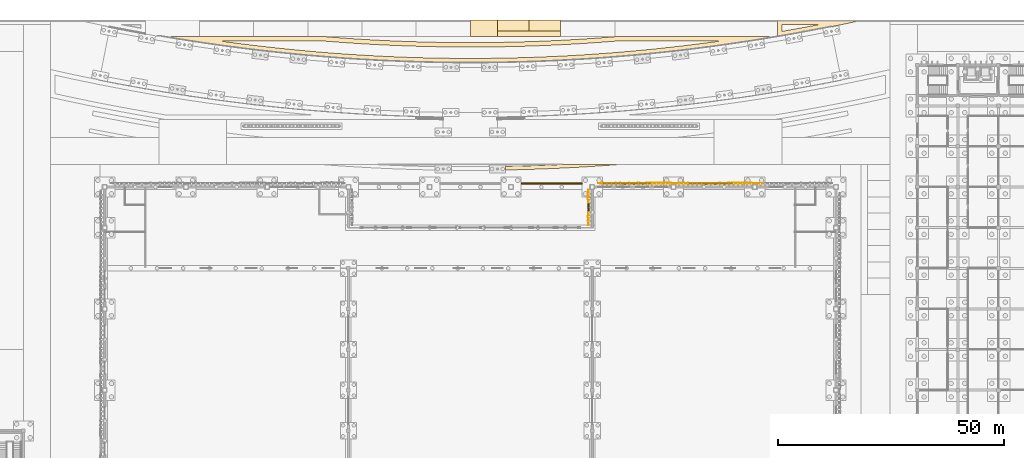
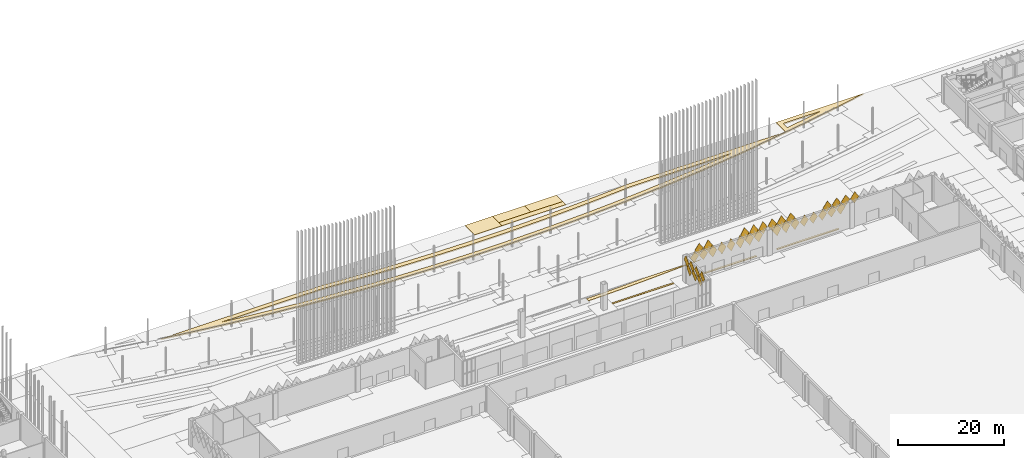
# One storey, part 174 of 198: 44 coverings.
"""IFC4 building model written with IfcOpenShell, lengths in metres."""

import ifcopenshell
import ifcopenshell.guid

model = None  # the IFC model being written
_history = None  # IfcOwnerHistory: only IFC2X3 demands one
_inside = {}  # id of a spatial element -> (the spatial element, [elements in it])
_under = {}  # id of a project, library or spatial element -> (it, [spatial elements below it])
_declared = {}  # id of a project -> (the project, [libraries it declares])
_typed = {}  # id of a type object -> (the type object, [elements of that type])
_made_of = {}  # id of a material, layer set ... -> (it, [elements and type objects made of it])


def new_model(schema):
    """Start an empty IFC model of exactly this schema.

    Asked for "IFC4X3", IfcOpenShell would pick the latest addendum, in which some entities
    have other attributes; the version numbers below select the first issue.
    IFC2X3 requires an IfcOwnerHistory on every rooted entity: one is made here for all.
    """
    global model, _history
    if schema == "IFC4X3":
        model = ifcopenshell.file(schema_version=(4, 3, 0, 0))
    else:
        model = ifcopenshell.file(schema=schema)
    _inside.clear()
    _under.clear()
    _declared.clear()
    _typed.clear()
    _made_of.clear()
    _history = None
    if model.schema == "IFC2X3":
        org = make("IfcOrganization", Name="unknown")
        user = make(
            "IfcPersonAndOrganization",
            ThePerson=make("IfcPerson", FamilyName="unknown"),
            TheOrganization=org,
        )
        app = make(
            "IfcApplication",
            ApplicationDeveloper=org,
            Version="unknown",
            ApplicationFullName="unknown",
            ApplicationIdentifier="unknown",
        )
        _history = make(
            "IfcOwnerHistory",
            OwningUser=user,
            OwningApplication=app,
            ChangeAction="ADDED",
            CreationDate=0,
        )
    return model


def make(cls, **values):
    """One entity of the class cls with the attributes given. An attribute that is None is left unset."""
    return model.create_entity(
        cls, **{name: value for name, value in values.items() if value is not None}
    )


def rooted(cls, **values):
    """An entity with a GlobalId (a new one), such as an element, a storey or a relation."""
    return make(cls, GlobalId=ifcopenshell.guid.new(), OwnerHistory=_history, **values)


def si_unit(unit_type, name, prefix=None):
    """IfcSIUnit, for example si_unit("LENGTHUNIT", "METRE", prefix="MILLI")."""
    return make("IfcSIUnit", UnitType=unit_type, Prefix=prefix, Name=name)


def assignment(units):
    """IfcUnitAssignment: the units of a project."""
    return None if units is None else make("IfcUnitAssignment", Units=units)


def point(xyz):
    """IfcCartesianPoint."""
    return None if xyz is None else make("IfcCartesianPoint", Coordinates=xyz)


def direction(xyz):
    """IfcDirection."""
    return None if xyz is None else make("IfcDirection", DirectionRatios=xyz)


def frame(location, z_axis=None, x_axis=None):
    """IfcAxis2Placement3D, a coordinate frame: its origin and axes. An axis left out is left unset."""
    return make(
        "IfcAxis2Placement3D",
        Location=point(location),
        Axis=direction(z_axis),
        RefDirection=direction(x_axis),
    )


def origin():
    """The frame at (0, 0, 0) with its axes left unset."""
    return frame((0.0, 0.0, 0.0))


def place(relative_to, where):
    """IfcLocalPlacement: puts the frame where relative to a parent placement (None: the world)."""
    return make(
        "IfcLocalPlacement", PlacementRelTo=relative_to, RelativePlacement=where
    )


def context(
    kind, dimensions, precision=None, world=None, true_north=None, identifier=None
):
    """IfcGeometricRepresentationContext, for example the 3D "Model" context."""
    return make(
        "IfcGeometricRepresentationContext",
        ContextIdentifier=identifier,
        ContextType=kind,
        CoordinateSpaceDimension=dimensions,
        Precision=precision,
        WorldCoordinateSystem=world,
        TrueNorth=true_north,
    )


def subcontext(parent, identifier, kind, view, scale=None):
    """IfcGeometricRepresentationSubContext, for example "Body" below "Model"."""
    return make(
        "IfcGeometricRepresentationSubContext",
        ContextIdentifier=identifier,
        ContextType=kind,
        ParentContext=parent,
        TargetScale=scale,
        TargetView=view,
    )


def project(units=None, contexts=None):
    """IfcProject with its units and contexts."""
    return rooted(
        "IfcProject",
        Name="project",
        RepresentationContexts=contexts,
        UnitsInContext=assignment(units),
    )


def spatial(cls, under=None, at=None, **own):
    """A site, building, storey or space (cls), placed at a placement, below another one or the project."""
    s = rooted(cls, ObjectPlacement=at, **own)
    if under is not None:
        _under.setdefault(under.id(), (under, []))[1].append(s)
    return s


def polyline(points):
    """IfcPolyline through the points."""
    return make("IfcPolyline", Points=[point(p) for p in points])


def outline(outer, holes=None, kind="AREA"):
    """IfcArbitraryClosedProfileDef: a profile drawn as a closed curve; with holes, ...WithVoids."""
    if holes is None:
        return make("IfcArbitraryClosedProfileDef", ProfileType=kind, OuterCurve=outer)
    return make(
        "IfcArbitraryProfileDefWithVoids",
        ProfileType=kind,
        OuterCurve=outer,
        InnerCurves=holes,
    )


def extrude(swept, where, along, depth):
    """IfcExtrudedAreaSolid: the profile swept, set in the frame where, extruded along a direction by depth."""
    return make(
        "IfcExtrudedAreaSolid",
        SweptArea=swept,
        Position=where,
        ExtrudedDirection=direction(along),
        Depth=depth,
    )


def shape(context_of_items, identifier, shape_type, items):
    """IfcShapeRepresentation: the items that make up one representation, for example the "Body"."""
    return make(
        "IfcShapeRepresentation",
        ContextOfItems=context_of_items,
        RepresentationIdentifier=identifier,
        RepresentationType=shape_type,
        Items=items,
    )


def material(Name=None, Category=None):
    """IfcMaterial."""
    return make("IfcMaterial", Name=Name, Category=Category)


def layer(
    of_material, thickness, ventilated=None, Name=None, Category=None, Priority=None
):
    """IfcMaterialLayer: one layer of a wall or slab, of a material (None: an air gap)."""
    return make(
        "IfcMaterialLayer",
        Material=of_material,
        LayerThickness=thickness,
        IsVentilated=ventilated,
        Name=Name,
        Category=Category,
        Priority=Priority,
    )


def layer_set(layers, Name=None):
    """IfcMaterialLayerSet."""
    return make("IfcMaterialLayerSet", MaterialLayers=layers, LayerSetName=Name)


def material_profile(
    of_material, cross_section, Name=None, Category=None, Priority=None
):
    """IfcMaterialProfile: a cross section and its material."""
    return make(
        "IfcMaterialProfile",
        Name=Name,
        Material=of_material,
        Profile=cross_section,
        Priority=Priority,
        Category=Category,
    )


def profile_set(profiles, Name=None, composite=None):
    """IfcMaterialProfileSet."""
    return make(
        "IfcMaterialProfileSet",
        Name=Name,
        MaterialProfiles=profiles,
        CompositeProfile=composite,
    )


def made_of(thing, what):
    """Note that an element or type object is made of a material, layer set ...; save() writes the relation."""
    if what is not None:
        _made_of.setdefault(what.id(), (what, []))[1].append(thing)
    return thing


def type_object(cls, material=None, **own):
    """A type object (cls), such as IfcWallType, which elements share."""
    return made_of(rooted(cls, **own), material)


def element(
    cls,
    number,
    at=None,
    inside=None,
    cuts=None,
    type_object=None,
    material=None,
    context=None,
    identifier="Body",
    shape_type=None,
    held_by="IfcProductDefinitionShape",
    body=None,
    shapes=None,
    **own,
):
    """One element of the class cls, such as IfcWall. Its Tag is "e" and its number.

    at: its placement. inside: the storey or other place that contains it. cuts: it is an
    opening in that element (IfcRelVoidsElement). A single representation is given by context,
    identifier, shape_type and body (its items); several are given by shapes. held_by: the class
    of the entity that holds the representations. save() writes the other relations.
    """
    e = rooted(cls, Tag="e%d" % number, ObjectPlacement=at, **own)
    if body is not None:
        shapes = [shape(context, identifier, shape_type, body)]
    if shapes is not None:
        e.Representation = make(held_by, Representations=shapes)
    if inside is not None:
        _inside.setdefault(inside.id(), (inside, []))[1].append(e)
    if cuts is not None:
        rooted(
            "IfcRelVoidsElement", RelatingBuildingElement=cuts, RelatedOpeningElement=e
        )
    if type_object is not None:
        _typed.setdefault(type_object.id(), (type_object, []))[1].append(e)
    return made_of(e, material)


def aggregate(whole, parts):
    """IfcRelAggregates: a whole, such as a stair, and the parts it consists of."""
    return rooted("IfcRelAggregates", RelatingObject=whole, RelatedObjects=parts)


def save(model, path):
    """Write the relations noted so far, then the file.

    IfcRelAggregates (storeys below a building ...), IfcRelContainedInSpatialStructure (elements
    in a storey), IfcRelDefinesByType, IfcRelAssociatesMaterial and IfcRelDeclares: one each for
    every whole, place, type object, material and project.
    """
    for whole, parts in _under.values():
        aggregate(whole, parts)
    for where, things in _inside.values():
        rooted(
            "IfcRelContainedInSpatialStructure",
            RelatedElements=things,
            RelatingStructure=where,
        )
    for kind, things in _typed.values():
        rooted("IfcRelDefinesByType", RelatedObjects=things, RelatingType=kind)
    for what, things in _made_of.values():
        rooted("IfcRelAssociatesMaterial", RelatedObjects=things, RelatingMaterial=what)
    for by, libraries in _declared.values():
        rooted("IfcRelDeclares", RelatingContext=by, RelatedDefinitions=libraries)
    model.write(path)


model = new_model("IFC4")

# Units and contexts
model_context = context("Model", 3, precision=1e-05, world=origin(), true_north=direction((0.0, 1.0)))
body_context = subcontext(model_context, "Body", "Model", "MODEL_VIEW")
ifc_project = project(units=[si_unit("LENGTHUNIT", "METRE"), si_unit("AREAUNIT", "SQUARE_METRE"), si_unit("VOLUMEUNIT", "CUBIC_METRE"), si_unit("PLANEANGLEUNIT", "RADIAN"), si_unit("MASSUNIT", "GRAM", prefix="KILO")], contexts=[model_context])

# Site, building, storey
site_placement = place(None, origin())
site = spatial("IfcSite", under=ifc_project, at=site_placement, CompositionType="ELEMENT")
building_placement = place(site_placement, origin())
building = spatial("IfcBuilding", under=site, at=building_placement, Name="Opaline Strait Convention Centre", CompositionType="ELEMENT")
storey_placement = place(building_placement, origin())
storey = spatial("IfcBuildingStorey", under=building, at=storey_placement, Name="L00", CompositionType="ELEMENT", Elevation=0.0)

# Coverings
ifc_material_1 = material(Name="Asphalt road surfacing")
ifc_layer_1 = layer(ifc_material_1, 0.14990234375)
ifc_layer_set_1 = layer_set([ifc_layer_1], Name="Asphalt road surfacing")
covering_type_1 = type_object("IfcCoveringType", Name="Asphalt road surfacing 150", PredefinedType="FLOORING", material=ifc_layer_set_1)
covering_1_placement = place(storey_placement, frame((0.0, 0.0, -0.14990234375)))
element("IfcCovering", 1, at=covering_1_placement, inside=storey, type_object=covering_type_1, Name="Drop-off Lane West surfacing", PredefinedType="FLOORING", context=body_context, shape_type="SweptSolid", body=[
    extrude(outline(polyline([(180.0, 190.0), (180.0, 186.39990234375), (186.0, 186.39990234375), (186.0, 190.0), (180.0, 190.0)])), origin(), (0.0, 0.0, 1.0), 0.14990234375),
])
covering_2_placement = place(storey_placement, frame((0.0, 0.0, -0.14990234375)))
element("IfcCovering", 2, at=covering_2_placement, inside=storey, type_object=covering_type_1, Name="Accessible Drop-off Zone 1 surfacing", PredefinedType="FLOORING", context=body_context, shape_type="SweptSolid", body=[
    extrude(outline(polyline([(186.0, 190.0), (186.0, 187.60009765625), (193.0, 187.60009765625), (193.0, 190.0), (186.0, 190.0)])), origin(), (0.0, 0.0, 1.0), 0.14990234375),
])
covering_3_placement = place(storey_placement, frame((0.0, 0.0, -0.14990234375)))
element("IfcCovering", 3, at=covering_3_placement, inside=storey, type_object=covering_type_1, Name="Accessible Drop-off Zone 2 surfacing", PredefinedType="FLOORING", context=body_context, shape_type="SweptSolid", body=[
    extrude(outline(polyline([(193.0, 190.0), (193.0, 187.60009765625), (200.0, 187.60009765625), (200.0, 190.0), (193.0, 190.0)])), origin(), (0.0, 0.0, 1.0), 0.14990234375),
])
covering_4_placement = place(storey_placement, frame((0.0, 0.0, -0.14990234375)))
element("IfcCovering", 4, at=covering_4_placement, inside=storey, type_object=covering_type_1, Name="Accessible Drop-off Access Aisle surfacing", PredefinedType="FLOORING", context=body_context, shape_type="SweptSolid", body=[
    extrude(outline(polyline([(186.0, 187.60009765625), (186.0, 186.39990234375), (200.0, 186.39990234375), (200.0, 187.60009765625), (186.0, 187.60009765625)])), origin(), (0.0, 0.0, 1.0), 0.14990234375),
])
ifc_material_2 = material(Name="White ceramic-faced aluminium tile", Category="aluminium")
ifc_material_profile_1 = material_profile(ifc_material_2, outline(polyline([(0.927978515625, 0.0), (0.0, 1.39208984375), (-0.927978515625, 0.0), (0.0, -1.39208984375), (0.927978515625, 0.0)])), Name="Diamond tile 1856x2784")
ifc_profile_set_1 = profile_set([ifc_material_profile_1], Name="White ceramic-faced aluminium tile")
covering_type_2 = type_object("IfcCoveringType", Name="Diamond wall tile 1856x2784x30 pivot 2 deg", PredefinedType="CLADDING", material=ifc_profile_set_1)
for number, where, z_axis, x_axis, name in (
    (5, (231.25, 153.800048828125, 4.39208984375), (0.0, 0.999471633277, 0.032503142546), (-1.0, 0.0, 0.0), "Wall tile XT04 N"),
    (6, (229.25, 153.800048828125, 4.39208984375), (0.0, 0.999174794796, -0.040616861577), (-1.0, 0.0, 0.0), "Wall tile XT04 N"),
    (7, (230.25, 153.800048828125, 5.89208984375), (0.0, 0.999471633277, 0.032503142546), (-1.0, 0.0, 0.0), "Wall tile XT04 N"),
):
    element("IfcCovering", number, at=place(storey_placement, frame(where, z_axis=z_axis, x_axis=x_axis)), inside=storey, type_object=covering_type_2, Name=name, PredefinedType="CLADDING", context=body_context, shape_type="SweptSolid", body=[
        extrude(outline(polyline([(0.927978515625, 0.0), (0.0, 1.39208984375), (-0.927978515625, 0.0), (0.0, -1.39208984375), (0.927978515625, 0.0)])), origin(), (0.0, 0.0, 1.0), 0.030029296875),
    ])
ifc_material_profile_2 = material_profile(ifc_material_2, outline(polyline([(0.927978515625, 0.0), (0.0, 1.39208984375), (-0.927978515625, 0.0), (0.0, -1.39208984375), (0.927978515625, 0.0)])), Name="Diamond tile 1856x2784")
ifc_profile_set_2 = profile_set([ifc_material_profile_2], Name="White ceramic-faced aluminium tile")
covering_type_3 = type_object("IfcCoveringType", Name="Diamond wall tile 1856x2784x30 pivot 2.5 deg", PredefinedType="CLADDING", material=ifc_profile_set_2)
for number, where, z_axis, x_axis, name in (
    (8, (233.25, 153.800048828125, 4.39208984375), (0.0, 0.999174794796, 0.040616861577), (-1.0, 0.0, 0.0), "Wall tile XT05 N"),
    (9, (213.25, 153.800048828125, 4.39208984375), (0.0, 0.998812351125, -0.048722553713), (-1.0, 0.0, 0.0), "Wall tile XT05 N"),
    (10, (211.25, 153.800048828125, 4.39208984375), (0.0, 0.999174794796, 0.040616861577), (-1.0, 0.0, 0.0), "Wall tile XT05 N"),
    (11, (244.25, 153.800048828125, 5.89208984375), (0.0, 0.999174794796, 0.040616861577), (-1.0, 0.0, 0.0), "Wall tile XT05 N"),
    (12, (228.25, 153.800048828125, 5.89208984375), (0.0, 0.998812351125, -0.048722553713), (-1.0, 0.0, 0.0), "Wall tile XT05 N"),
    (13, (212.25, 153.800048828125, 5.89208984375), (0.0, 0.998812351125, -0.048722553713), (-1.0, 0.0, 0.0), "Wall tile XT05 N"),
    (14, (210.25, 153.800048828125, 5.89208984375), (0.0, 0.999174794796, 0.040616861577), (-1.0, 0.0, 0.0), "Wall tile XT05 N"),
):
    element("IfcCovering", number, at=place(storey_placement, frame(where, z_axis=z_axis, x_axis=x_axis)), inside=storey, type_object=covering_type_3, Name=name, PredefinedType="CLADDING", context=body_context, shape_type="SweptSolid", body=[
        extrude(outline(polyline([(0.927978515625, 0.0), (0.0, 1.39208984375), (-0.927978515625, 0.0), (0.0, -1.39208984375), (0.927978515625, 0.0)])), origin(), (0.0, 0.0, 1.0), 0.030029296875),
    ])
ifc_material_profile_3 = material_profile(ifc_material_2, outline(polyline([(0.927978515625, 0.0), (0.0, 1.39208984375), (-0.927978515625, 0.0), (0.0, -1.39208984375), (0.927978515625, 0.0)])), Name="Diamond tile 1856x2784")
ifc_profile_set_3 = profile_set([ifc_material_profile_3], Name="White ceramic-faced aluminium tile")
covering_type_4 = type_object("IfcCoveringType", Name="Diamond wall tile 1856x2784x30 pivot 3 deg", PredefinedType="CLADDING", material=ifc_profile_set_3)
covering_5_placement = place(storey_placement, frame((215.25, 153.800048828125, 4.39208984375), z_axis=(0.0, 0.998384516691, -0.056818631031), x_axis=(-1.0, 0.0, 0.0)))
element("IfcCovering", 15, at=covering_5_placement, inside=storey, type_object=covering_type_4, Name="Wall tile XT06 N", PredefinedType="CLADDING", context=body_context, shape_type="SweptSolid", body=[
    extrude(outline(polyline([(0.927978515625, 0.0), (0.0, 1.39208984375), (-0.927978515625, 0.0), (0.0, -1.39208984375), (0.927978515625, 0.0)])), origin(), (0.0, 0.0, 1.0), 0.030029296875),
])
ifc_material_profile_4 = material_profile(ifc_material_2, outline(polyline([(0.927978515625, 0.0), (0.0, 1.39208984375), (-0.927978515625, 0.0), (0.0, -1.39208984375), (0.927978515625, 0.0)])), Name="Diamond tile 1856x2784")
ifc_profile_set_4 = profile_set([ifc_material_profile_4], Name="White ceramic-faced aluminium tile")
covering_type_5 = type_object("IfcCoveringType", Name="Diamond wall tile 1856x2784x30 pivot 3.5 deg", PredefinedType="CLADDING", material=ifc_profile_set_4)
for number, where, z_axis, x_axis, name in (
    (16, (227.25, 153.800048828125, 4.39208984375), (0.0, 0.99785694905, -0.065433242561), (-1.0, 0.0, 0.0), "Wall tile XT07 N"),
    (17, (226.25, 153.800048828125, 5.89208984375), (0.0, 0.99785694905, -0.065433242561), (-1.0, 0.0, 0.0), "Wall tile XT07 N"),
):
    element("IfcCovering", number, at=place(storey_placement, frame(where, z_axis=z_axis, x_axis=x_axis)), inside=storey, type_object=covering_type_5, Name=name, PredefinedType="CLADDING", context=body_context, shape_type="SweptSolid", body=[
        extrude(outline(polyline([(0.927978515625, 0.0), (0.0, 1.39208984375), (-0.927978515625, 0.0), (0.0, -1.39208984375), (0.927978515625, 0.0)])), origin(), (0.0, 0.0, 1.0), 0.02978515625),
    ])
ifc_material_profile_5 = material_profile(ifc_material_2, outline(polyline([(0.927978515625, 0.0), (0.0, 1.39208984375), (-0.927978515625, 0.0), (0.0, -1.39208984375), (0.927978515625, 0.0)])), Name="Diamond tile 1856x2784")
ifc_profile_set_5 = profile_set([ifc_material_profile_5], Name="White ceramic-faced aluminium tile")
covering_type_6 = type_object("IfcCoveringType", Name="Diamond wall tile 1856x2784x30 pivot 4 deg", PredefinedType="CLADDING", material=ifc_profile_set_5)
for number, where, z_axis, x_axis, name in (
    (18, (235.25, 153.800048828125, 4.39208984375), (0.0, 0.99785694905, 0.065433242561), (-1.0, 0.0, 0.0), "Wall tile XT08 N"),
    (19, (242.25, 153.800048828125, 5.89208984375), (0.0, 0.99785694905, 0.065433242561), (-1.0, 0.0, 0.0), "Wall tile XT08 N"),
):
    element("IfcCovering", number, at=place(storey_placement, frame(where, z_axis=z_axis, x_axis=x_axis)), inside=storey, type_object=covering_type_6, Name=name, PredefinedType="CLADDING", context=body_context, shape_type="SweptSolid", body=[
        extrude(outline(polyline([(0.927978515625, 0.0), (0.0, 1.39208984375), (-0.927978515625, 0.0), (0.0, -1.39208984375), (0.927978515625, 0.0)])), origin(), (0.0, 0.0, 1.0), 0.02978515625),
    ])
ifc_material_profile_6 = material_profile(ifc_material_2, outline(polyline([(0.927978515625, 0.0), (0.0, 1.39208984375), (-0.927978515625, 0.0), (0.0, -1.39208984375), (0.927978515625, 0.0)])), Name="Diamond tile 1856x2784")
ifc_profile_set_6 = profile_set([ifc_material_profile_6], Name="White ceramic-faced aluminium tile")
covering_type_7 = type_object("IfcCoveringType", Name="Diamond wall tile 1856x2784x30 pivot 4.5 deg", PredefinedType="CLADDING", material=ifc_profile_set_6)
covering_6_placement = place(storey_placement, frame((209.25, 153.800048828125, 4.39208984375), z_axis=(0.0, 0.997290013252, 0.073570574748), x_axis=(-1.0, 0.0, 0.0)))
element("IfcCovering", 20, at=covering_6_placement, inside=storey, type_object=covering_type_7, Name="Wall tile XT09 N", PredefinedType="CLADDING", context=body_context, shape_type="SweptSolid", body=[
    extrude(outline(polyline([(0.927978515625, 0.0), (0.0, 1.39208984375), (-0.927978515625, 0.0), (0.0, -1.39208984375), (0.927978515625, 0.0)])), origin(), (0.0, 0.0, 1.0), 0.02978515625),
])
ifc_material_profile_7 = material_profile(ifc_material_2, outline(polyline([(0.927978515625, 0.0), (0.0, 1.39208984375), (-0.927978515625, 0.0), (0.0, -1.39208984375), (0.927978515625, 0.0)])), Name="Diamond tile 1856x2784")
ifc_profile_set_7 = profile_set([ifc_material_profile_7], Name="White ceramic-faced aluminium tile")
covering_type_8 = type_object("IfcCoveringType", Name="Diamond wall tile 1856x2784x30 pivot 5 deg", PredefinedType="CLADDING", material=ifc_profile_set_7)
for number, where, z_axis, x_axis, name in (
    (21, (241.25, 153.800048828125, 4.39208984375), (0.0, 0.996657521232, 0.081693239445), (-1.0, 0.0, 0.0), "Wall tile XT10 N"),
    (22, (237.25, 153.800048828125, 4.39208984375), (0.0, 0.996657521232, 0.081693239445), (-1.0, 0.0, 0.0), "Wall tile XT10 N"),
    (23, (217.25, 153.800048828125, 4.39208984375), (0.0, 0.995959849254, -0.089799658539), (-1.0, 0.0, 0.0), "Wall tile XT10 N"),
    (24, (240.25, 153.800048828125, 5.89208984375), (0.0, 0.996657521232, 0.081693239445), (-1.0, 0.0, 0.0), "Wall tile XT10 N"),
    (25, (224.25, 153.800048828125, 5.89208984375), (0.0, 0.995959849254, -0.089799658539), (-1.0, 0.0, 0.0), "Wall tile XT10 N"),
    (26, (206.199951171875, 151.5, 5.89208984375), (-0.995959849254, 0.0, -0.089799658539), (0.0, -1.0, 0.0), "Wall tile XT10 RE"),
    (27, (206.199951171875, 145.5, 5.89208984375), (-0.995959849254, 0.0, -0.089799658539), (0.0, -1.0, 0.0), "Wall tile XT10 RE"),
):
    element("IfcCovering", number, at=place(storey_placement, frame(where, z_axis=z_axis, x_axis=x_axis)), inside=storey, type_object=covering_type_8, Name=name, PredefinedType="CLADDING", context=body_context, shape_type="SweptSolid", body=[
        extrude(outline(polyline([(0.927978515625, 0.0), (0.0, 1.39208984375), (-0.927978515625, 0.0), (0.0, -1.39208984375), (0.927978515625, 0.0)])), origin(), (0.0, 0.0, 1.0), 0.02978515625),
    ])
ifc_material_profile_8 = material_profile(ifc_material_2, outline(polyline([(0.927978515625, 0.0), (0.0, 1.39208984375), (-0.927978515625, 0.0), (0.0, -1.39208984375), (0.927978515625, 0.0)])), Name="Diamond tile 1856x2784")
ifc_profile_set_8 = profile_set([ifc_material_profile_8], Name="White ceramic-faced aluminium tile")
covering_type_9 = type_object("IfcCoveringType", Name="Diamond wall tile 1856x2784x30 pivot 5.5 deg", PredefinedType="CLADDING", material=ifc_profile_set_8)
for number, where, z_axis, x_axis, name in (
    (28, (239.25, 153.800048828125, 4.39208984375), (0.0, 0.995959849254, 0.089799658539), (-1.0, 0.0, 0.0), "Wall tile XT11 N"),
    (29, (238.25, 153.800048828125, 5.89208984375), (0.0, 0.995959849254, 0.089799658539), (-1.0, 0.0, 0.0), "Wall tile XT11 N"),
):
    element("IfcCovering", number, at=place(storey_placement, frame(where, z_axis=z_axis, x_axis=x_axis)), inside=storey, type_object=covering_type_9, Name=name, PredefinedType="CLADDING", context=body_context, shape_type="SweptSolid", body=[
        extrude(outline(polyline([(0.927978515625, 0.0), (0.0, 1.39208984375), (-0.927978515625, 0.0), (0.0, -1.39208984375), (0.927978515625, 0.0)])), origin(), (0.0, 0.0, 1.0), 0.02978515625),
    ])
ifc_material_profile_9 = material_profile(ifc_material_2, outline(polyline([(0.927978515625, 0.0), (0.0, 1.39208984375), (-0.927978515625, 0.0), (0.0, -1.39208984375), (0.927978515625, 0.0)])), Name="Diamond tile 1856x2784")
ifc_profile_set_9 = profile_set([ifc_material_profile_9], Name="White ceramic-faced aluminium tile")
covering_type_10 = type_object("IfcCoveringType", Name="Diamond wall tile 1856x2784x30 pivot 6 deg", PredefinedType="CLADDING", material=ifc_profile_set_9)
covering_7_placement = place(storey_placement, frame((206.199951171875, 146.5, 4.39208984375), z_axis=(-0.994370656274, 0.0, -0.105957528947), x_axis=(0.0, -1.0, 0.0)))
element("IfcCovering", 30, at=covering_7_placement, inside=storey, type_object=covering_type_10, Name="Wall tile XT12 RE", PredefinedType="CLADDING", context=body_context, shape_type="SweptSolid", body=[
    extrude(outline(polyline([(0.927978515625, 0.0), (0.0, 1.39208984375), (-0.927978515625, 0.0), (0.0, -1.39208984375), (0.927978515625, 0.0)])), origin(), (0.0, 0.0, 1.0), 0.030029296875),
])
ifc_material_profile_10 = material_profile(ifc_material_2, outline(polyline([(0.927978515625, 0.0), (0.0, 1.39208984375), (-0.927978515625, 0.0), (0.0, -1.39208984375), (0.927978515625, 0.0)])), Name="Diamond tile 1856x2784")
ifc_profile_set_10 = profile_set([ifc_material_profile_10], Name="White ceramic-faced aluminium tile")
covering_type_11 = type_object("IfcCoveringType", Name="Diamond wall tile 1856x2784x30 pivot 6.5 deg", PredefinedType="CLADDING", material=ifc_profile_set_10)
for number, where, z_axis, x_axis, name in (
    (31, (223.25, 153.800048828125, 4.39208984375), (0.0, 0.993480071526, -0.114005909847), (-1.0, 0.0, 0.0), "Wall tile XT13 N"),
    (32, (219.25, 153.800048828125, 4.39208984375), (0.0, 0.993480071526, -0.114005909847), (-1.0, 0.0, 0.0), "Wall tile XT13 N"),
    (33, (222.25, 153.800048828125, 5.89208984375), (0.0, 0.993480071526, -0.114005909847), (-1.0, 0.0, 0.0), "Wall tile XT13 N"),
):
    element("IfcCovering", number, at=place(storey_placement, frame(where, z_axis=z_axis, x_axis=x_axis)), inside=storey, type_object=covering_type_11, Name=name, PredefinedType="CLADDING", context=body_context, shape_type="SweptSolid", body=[
        extrude(outline(polyline([(0.927978515625, 0.0), (0.0, 1.39208984375), (-0.927978515625, 0.0), (0.0, -1.39208984375), (0.927978515625, 0.0)])), origin(), (0.0, 0.0, 1.0), 0.030029296875),
    ])
ifc_material_profile_11 = material_profile(ifc_material_2, outline(polyline([(0.927978515625, 0.0), (0.0, 1.39208984375), (-0.927978515625, 0.0), (0.0, -1.39208984375), (0.927978515625, 0.0)])), Name="Diamond tile 1856x2784")
ifc_profile_set_11 = profile_set([ifc_material_profile_11], Name="White ceramic-faced aluminium tile")
covering_type_12 = type_object("IfcCoveringType", Name="Diamond wall tile 1856x2784x30 pivot 7 deg", PredefinedType="CLADDING", material=ifc_profile_set_11)
for number, where, z_axis, x_axis, name in (
    (34, (221.25, 153.800048828125, 4.39208984375), (0.0, 0.992526177815, -0.122031907108), (-1.0, 0.0, 0.0), "Wall tile XT14 N"),
    (35, (220.25, 153.800048828125, 5.89208984375), (0.0, 0.992526177815, -0.122031907108), (-1.0, 0.0, 0.0), "Wall tile XT14 N"),
    (36, (206.199951171875, 150.5, 4.39208984375), (-0.992526177815, 0.0, -0.122031907108), (0.0, -1.0, 0.0), "Wall tile XT14 RE"),
):
    element("IfcCovering", number, at=place(storey_placement, frame(where, z_axis=z_axis, x_axis=x_axis)), inside=storey, type_object=covering_type_12, Name=name, PredefinedType="CLADDING", context=body_context, shape_type="SweptSolid", body=[
        extrude(outline(polyline([(0.927978515625, 0.0), (0.0, 1.39208984375), (-0.927978515625, 0.0), (0.0, -1.39208984375), (0.927978515625, 0.0)])), origin(), (0.0, 0.0, 1.0), 0.030029296875),
    ])
ifc_material_profile_12 = material_profile(ifc_material_2, outline(polyline([(0.927978515625, 0.0), (0.0, 1.39208984375), (-0.927978515625, 0.0), (0.0, -1.39208984375), (0.927978515625, 0.0)])), Name="Diamond tile 1856x2784")
ifc_profile_set_12 = profile_set([ifc_material_profile_12], Name="White ceramic-faced aluminium tile")
covering_type_13 = type_object("IfcCoveringType", Name="Diamond wall tile 1856x2784x30 pivot 8 deg", PredefinedType="CLADDING", material=ifc_profile_set_12)
for number, where, z_axis, x_axis, name in (
    (37, (206.199951171875, 149.5, 5.89208984375), (-0.990274204789, 0.0, -0.139129433731), (0.0, -1.0, 0.0), "Wall tile XT16 RE"),
    (38, (206.199951171875, 147.5, 5.89208984375), (-0.990274204789, 0.0, -0.139129433731), (0.0, -1.0, 0.0), "Wall tile XT16 RE"),
):
    element("IfcCovering", number, at=place(storey_placement, frame(where, z_axis=z_axis, x_axis=x_axis)), inside=storey, type_object=covering_type_13, Name=name, PredefinedType="CLADDING", context=body_context, shape_type="SweptSolid", body=[
        extrude(outline(polyline([(0.927978515625, 0.0), (0.0, 1.39208984375), (-0.927978515625, 0.0), (0.0, -1.39208984375), (0.927978515625, 0.0)])), origin(), (0.0, 0.0, 1.0), 0.02978515625),
    ])
ifc_material_profile_13 = material_profile(ifc_material_2, outline(polyline([(0.927978515625, 0.0), (0.0, 1.39208984375), (-0.927978515625, 0.0), (0.0, -1.39208984375), (0.927978515625, 0.0)])), Name="Diamond tile 1856x2784")
ifc_profile_set_13 = profile_set([ifc_material_profile_13], Name="White ceramic-faced aluminium tile")
covering_type_14 = type_object("IfcCoveringType", Name="Diamond wall tile 1856x2784x30 pivot 8.5 deg", PredefinedType="CLADDING", material=ifc_profile_set_13)
covering_8_placement = place(storey_placement, frame((206.199951171875, 148.5, 4.39208984375), z_axis=(-0.987895005451, 0.0, -0.15512400912), x_axis=(0.0, -1.0, 0.0)))
element("IfcCovering", 39, at=covering_8_placement, inside=storey, type_object=covering_type_14, Name="Wall tile XT17 RE", PredefinedType="CLADDING", context=body_context, shape_type="SweptSolid", body=[
    extrude(outline(polyline([(0.927978515625, 0.0), (0.0, 1.39208984375), (-0.927978515625, 0.0), (0.0, -1.39208984375), (0.927978515625, 0.0)])), origin(), (0.0, 0.0, 1.0), 0.02978515625),
])
ifc_material_3 = material(Name="Permeable concrete block paving C30", Category="concrete")
ifc_layer_2 = layer(ifc_material_3, 0.14990234375)
ifc_layer_set_2 = layer_set([ifc_layer_2], Name="Permeable concrete block paving C30")
covering_type_15 = type_object("IfcCoveringType", Name="Permeable block paving 150", PredefinedType="FLOORING", material=ifc_layer_set_2)
covering_9_placement = place(storey_placement, frame((0.0, 0.0, -0.14990234375)))
element("IfcCovering", 40, at=covering_9_placement, inside=storey, type_object=covering_type_15, Name="Forecourt paving band 2 surfacing", PredefinedType="FLOORING", context=body_context, shape_type="SweptSolid", body=[
    extrude(outline(polyline([(209.63720703125, 157.73876953125), (211.662109375, 157.8857421875), (211.75048828125, 157.892333984375), (213.140380859375, 158.0), (200.52197265625, 158.0), (199.031494140625, 157.92919921875), (198.94677734375, 157.92529296875), (196.921875, 157.83935546875), (196.837158203125, 157.8359375), (194.81201171875, 157.760009765625), (194.727294921875, 157.757080078125), (192.7021484375, 157.691162109375), (192.6171875, 157.688720703125), (190.59228515625, 157.633056640625), (190.50732421875, 157.630859375), (188.482421875, 157.585205078125), (188.3974609375, 157.58349609375), (187.804931640625, 157.5732421875), (187.804931640625, 156.773193359375), (188.41162109375, 156.78369140625), (188.50048828125, 156.785400390625), (190.525390625, 156.8310546875), (190.6142578125, 156.833251953125), (192.639404296875, 156.888916015625), (192.728271484375, 156.8916015625), (194.753173828125, 156.95751953125), (194.842041015625, 156.960693359375), (196.866943359375, 157.03662109375), (196.955810546875, 157.0400390625), (198.980712890625, 157.126220703125), (199.069580078125, 157.130126953125), (201.094482421875, 157.226318359375), (201.18310546875, 157.230712890625), (203.208251953125, 157.3369140625), (203.296875, 157.341796875), (205.32177734375, 157.45849609375), (205.410400390625, 157.463623046875), (207.435302734375, 157.590087890625), (207.523681640625, 157.595947265625), (209.548828125, 157.732666015625), (209.63720703125, 157.73876953125)])), origin(), (0.0, 0.0, 1.0), 0.14990234375),
])
ifc_material_4 = material(Name="Planting soil and turf")
ifc_layer_3 = layer(ifc_material_4, 0.300048828125)
ifc_layer_set_3 = layer_set([ifc_layer_3], Name="Planting soil and turf")
covering_type_16 = type_object("IfcCoveringType", Name="Planted bed 300", PredefinedType="USERDEFINED", material=ifc_layer_set_3)
covering_10_placement = place(storey_placement, frame((0.0, 0.0, -0.300048828125)))
element("IfcCovering", 41, at=covering_10_placement, inside=storey, type_object=covering_type_16, Name="Strait Garden North surfacing", ObjectType="LANDSCAPE", PredefinedType="USERDEFINED", context=body_context, shape_type="SweptSolid", body=[
    extrude(outline(polyline([(153.698486328125, 185.876708984375), (151.75, 186.011474609375), (149.801513671875, 186.15576171875), (147.852783203125, 186.309814453125), (146.7783203125, 186.39990234375), (144.0, 186.39990234375), (132.0, 186.39990234375), (120.0, 186.39990234375), (111.385986328125, 186.39990234375), (112.0078125, 186.29248046875), (113.979248046875, 185.96142578125), (115.95068359375, 185.640380859375), (117.922119140625, 185.32861328125), (119.8935546875, 185.02685546875), (121.864990234375, 184.73486328125), (123.836181640625, 184.45263671875), (125.807373046875, 184.179931640625), (127.778564453125, 183.917236328125), (129.74951171875, 183.6640625), (131.720703125, 183.4208984375), (133.691650390625, 183.187255859375), (135.66259765625, 182.96337890625), (137.633544921875, 182.749267578125), (139.604248046875, 182.544921875), (141.5751953125, 182.35009765625), (143.5458984375, 182.165283203125), (145.5166015625, 181.989990234375), (147.4873046875, 181.82470703125), (149.4580078125, 181.6689453125), (151.428466796875, 181.52294921875), (153.399169921875, 181.38671875), (155.36962890625, 181.26025390625), (157.340087890625, 181.1435546875), (159.310791015625, 181.036376953125), (161.28125, 180.939208984375), (163.251708984375, 180.8515625), (165.22216796875, 180.773681640625), (167.1923828125, 180.70556640625), (169.162841796875, 180.647216796875), (171.13330078125, 180.598388671875), (173.103759765625, 180.5595703125), (175.07421875, 180.530517578125), (177.04443359375, 180.510986328125), (179.014892578125, 180.501220703125), (180.985107421875, 180.501220703125), (182.95556640625, 180.510986328125), (184.92578125, 180.530517578125), (186.896240234375, 180.5595703125), (188.86669921875, 180.598388671875), (190.837158203125, 180.647216796875), (192.8076171875, 180.70556640625), (194.77783203125, 180.773681640625), (196.748291015625, 180.8515625), (198.71875, 180.939208984375), (200.689208984375, 181.036376953125), (202.659912109375, 181.1435546875), (204.63037109375, 181.26025390625), (206.600830078125, 181.38671875), (208.571533203125, 181.52294921875), (210.5419921875, 181.6689453125), (212.5126953125, 181.82470703125), (214.4833984375, 181.989990234375), (216.4541015625, 182.165283203125), (218.4248046875, 182.35009765625), (220.395751953125, 182.544921875), (222.366455078125, 182.749267578125), (224.33740234375, 182.96337890625), (226.308349609375, 183.187255859375), (228.279296875, 183.4208984375), (230.25048828125, 183.6640625), (232.221435546875, 183.917236328125), (234.192626953125, 184.179931640625), (236.163818359375, 184.45263671875), (238.135009765625, 184.73486328125), (240.1064453125, 185.02685546875), (242.077880859375, 185.32861328125), (244.04931640625, 185.640380859375), (246.020751953125, 185.96142578125), (247.9921875, 186.29248046875), (249.964111328125, 186.63330078125), (251.935791015625, 186.98388671875), (253.907470703125, 187.34423828125), (255.87939453125, 187.714111328125), (257.851318359375, 188.093994140625), (259.8232421875, 188.4833984375), (261.79541015625, 188.8828125), (263.767578125, 189.291748046875), (265.739990234375, 189.710693359375), (267.071533203125, 190.0), (248.0, 190.0), (248.0, 186.39990234375), (213.2216796875, 186.39990234375), (212.147216796875, 186.309814453125), (210.198486328125, 186.15576171875), (208.25, 186.011474609375), (206.301513671875, 185.876708984375), (204.35302734375, 185.751708984375), (202.40478515625, 185.63623046875), (200.456298828125, 185.530517578125), (198.508056640625, 185.43408203125), (196.5595703125, 185.34765625), (194.611328125, 185.2705078125), (192.6630859375, 185.203369140625), (190.71484375, 185.1455078125), (188.7666015625, 185.097412109375), (186.818603515625, 185.05908203125), (184.870361328125, 185.030029296875), (182.922119140625, 185.010986328125), (180.97412109375, 185.001220703125), (179.02587890625, 185.001220703125), (177.077880859375, 185.010986328125), (175.129638671875, 185.030029296875), (173.181396484375, 185.05908203125), (171.2333984375, 185.097412109375), (169.28515625, 185.1455078125), (167.3369140625, 185.203369140625), (165.388671875, 185.2705078125), (163.4404296875, 185.34765625), (161.491943359375, 185.43408203125), (159.543701171875, 185.530517578125), (157.59521484375, 185.63623046875), (155.64697265625, 185.751708984375), (153.698486328125, 185.876708984375)]), holes=[polyline([(127.908203125, 184.90869140625), (125.94189453125, 185.1708984375), (124.28515625, 185.39990234375), (146.736328125, 185.39990234375), (147.76904296875, 185.313232421875), (147.77392578125, 185.31298828125), (149.72265625, 185.158935546875), (149.7275390625, 185.15869140625), (151.676025390625, 185.01416015625), (151.680908203125, 185.013916015625), (153.62939453125, 184.879150390625), (153.634521484375, 184.87890625), (155.582763671875, 184.753662109375), (155.587890625, 184.75341796875), (157.5361328125, 184.637939453125), (157.541015625, 184.6376953125), (159.489501953125, 184.531982421875), (159.494384765625, 184.531494140625), (161.442626953125, 184.435302734375), (161.447509765625, 184.435302734375), (163.39599609375, 184.3486328125), (163.40087890625, 184.348388671875), (165.34912109375, 184.271484375), (165.35400390625, 184.271240234375), (167.30224609375, 184.203857421875), (167.30712890625, 184.20361328125), (169.255615234375, 184.14599609375), (169.260498046875, 184.145751953125), (171.20849609375, 184.09765625), (171.21337890625, 184.09765625), (173.16162109375, 184.05908203125), (173.16650390625, 184.05908203125), (175.11474609375, 184.0302734375), (175.11962890625, 184.030029296875), (177.06787109375, 184.010986328125), (177.07275390625, 184.010986328125), (179.02099609375, 184.001220703125), (179.02587890625, 184.001220703125), (180.97412109375, 184.001220703125), (180.97900390625, 184.001220703125), (182.92724609375, 184.010986328125), (182.93212890625, 184.010986328125), (184.88037109375, 184.030029296875), (184.88525390625, 184.0302734375), (186.83349609375, 184.05908203125), (186.83837890625, 184.05908203125), (188.78662109375, 184.09765625), (188.79150390625, 184.09765625), (190.739501953125, 184.145751953125), (190.744384765625, 184.14599609375), (192.69287109375, 184.20361328125), (192.69775390625, 184.203857421875), (194.64599609375, 184.271240234375), (194.65087890625, 184.271484375), (196.59912109375, 184.348388671875), (196.60400390625, 184.3486328125), (198.552490234375, 184.435302734375), (198.557373046875, 184.435302734375), (200.505615234375, 184.531494140625), (200.510498046875, 184.531982421875), (202.458984375, 184.6376953125), (202.4638671875, 184.637939453125), (204.412109375, 184.75341796875), (204.417236328125, 184.753662109375), (206.365478515625, 184.87890625), (206.37060546875, 184.879150390625), (208.319091796875, 185.013916015625), (208.323974609375, 185.01416015625), (210.2724609375, 185.15869140625), (210.27734375, 185.158935546875), (212.22607421875, 185.31298828125), (212.23095703125, 185.313232421875), (213.263671875, 185.39990234375), (235.71484375, 185.39990234375), (234.05810546875, 185.1708984375), (232.091796875, 184.90869140625), (230.12548828125, 184.65625), (228.1591796875, 184.41357421875), (226.193115234375, 184.180419921875), (224.22705078125, 183.957275390625), (222.260986328125, 183.74365234375), (220.294921875, 183.539794921875), (218.3291015625, 183.345703125), (216.363037109375, 183.1611328125), (214.397216796875, 182.986328125), (212.431396484375, 182.8212890625), (210.4658203125, 182.666015625), (208.5, 182.5205078125), (206.534423828125, 182.384521484375), (204.568603515625, 182.25830078125), (202.60302734375, 182.141845703125), (200.637451171875, 182.03515625), (198.672119140625, 181.93798828125), (196.706298828125, 181.8505859375), (194.740966796875, 181.77294921875), (192.775390625, 181.705078125), (190.809814453125, 181.646728515625), (188.844482421875, 181.598388671875), (186.87890625, 181.5595703125), (184.91357421875, 181.530517578125), (182.947998046875, 181.510986328125), (180.982666015625, 181.501220703125), (179.017333984375, 181.501220703125), (177.052001953125, 181.510986328125), (175.08642578125, 181.530517578125), (173.12109375, 181.5595703125), (171.155517578125, 181.598388671875), (169.190185546875, 181.646728515625), (167.224609375, 181.705078125), (165.259033203125, 181.77294921875), (163.293701171875, 181.8505859375), (161.327880859375, 181.93798828125), (159.362548828125, 182.03515625), (157.39697265625, 182.141845703125), (155.431396484375, 182.25830078125), (153.465576171875, 182.384521484375), (151.5, 182.5205078125), (149.5341796875, 182.666015625), (147.568603515625, 182.8212890625), (145.602783203125, 182.986328125), (143.636962890625, 183.1611328125), (141.6708984375, 183.345703125), (139.705078125, 183.539794921875), (137.739013671875, 183.74365234375), (135.77294921875, 183.957275390625), (133.806884765625, 184.180419921875), (131.8408203125, 184.41357421875), (129.87451171875, 184.65625), (127.908203125, 184.90869140625)]), polyline([(251.75830078125, 187.968017578125), (249.791259765625, 187.618408203125), (249.0, 187.481689453125), (249.0, 189.0), (257.26806640625, 189.0), (255.692626953125, 188.696533203125), (253.725341796875, 188.327392578125), (251.75830078125, 187.968017578125)])]), origin(), (0.0, 0.0, 1.0), 0.300048828125),
])
ifc_material_5 = material(Name="Concrete C30 exposed aggregate", Category="concrete")
ifc_layer_4 = layer(ifc_material_5, 0.14990234375)
ifc_layer_set_4 = layer_set([ifc_layer_4], Name="Concrete C30 exposed aggregate")
covering_type_17 = type_object("IfcCoveringType", Name="Site paving 150", PredefinedType="FLOORING", material=ifc_layer_set_4)
covering_11_placement = place(storey_placement, frame((0.0, 0.0, -0.14990234375)))
element("IfcCovering", 42, at=covering_11_placement, inside=storey, type_object=covering_type_17, Name="Site paving surfacing", PredefinedType="FLOORING", context=body_context, shape_type="SweptSolid", body=[
    extrude(outline(polyline([(204.7451171875, 153.60498046875), (204.7451171875, 154.0), (191.2548828125, 154.0), (191.2548828125, 153.60498046875), (204.7451171875, 153.60498046875)])), origin(), (0.0, 0.0, 1.0), 0.14990234375),
])
covering_12_placement = place(storey_placement, frame((0.0, 0.0, -0.14990234375)))
element("IfcCovering", 43, at=covering_12_placement, inside=storey, type_object=covering_type_17, Name="Site paving surfacing", PredefinedType="FLOORING", context=body_context, shape_type="SweptSolid", body=[
    extrude(outline(polyline([(222.7451171875, 153.60498046875), (222.7451171875, 154.0), (209.2548828125, 154.0), (209.2548828125, 153.60498046875), (222.7451171875, 153.60498046875)])), origin(), (0.0, 0.0, 1.0), 0.14990234375),
])
covering_13_placement = place(storey_placement, frame((0.0, 0.0, -0.14990234375)))
element("IfcCovering", 44, at=covering_13_placement, inside=storey, type_object=covering_type_17, Name="Site paving surfacing", PredefinedType="FLOORING", context=body_context, shape_type="SweptSolid", body=[
    extrude(outline(polyline([(240.7451171875, 153.60498046875), (240.7451171875, 154.0), (227.2548828125, 154.0), (227.2548828125, 153.60498046875), (240.7451171875, 153.60498046875)])), origin(), (0.0, 0.0, 1.0), 0.14990234375),
])

save(model, "model.ifc")
